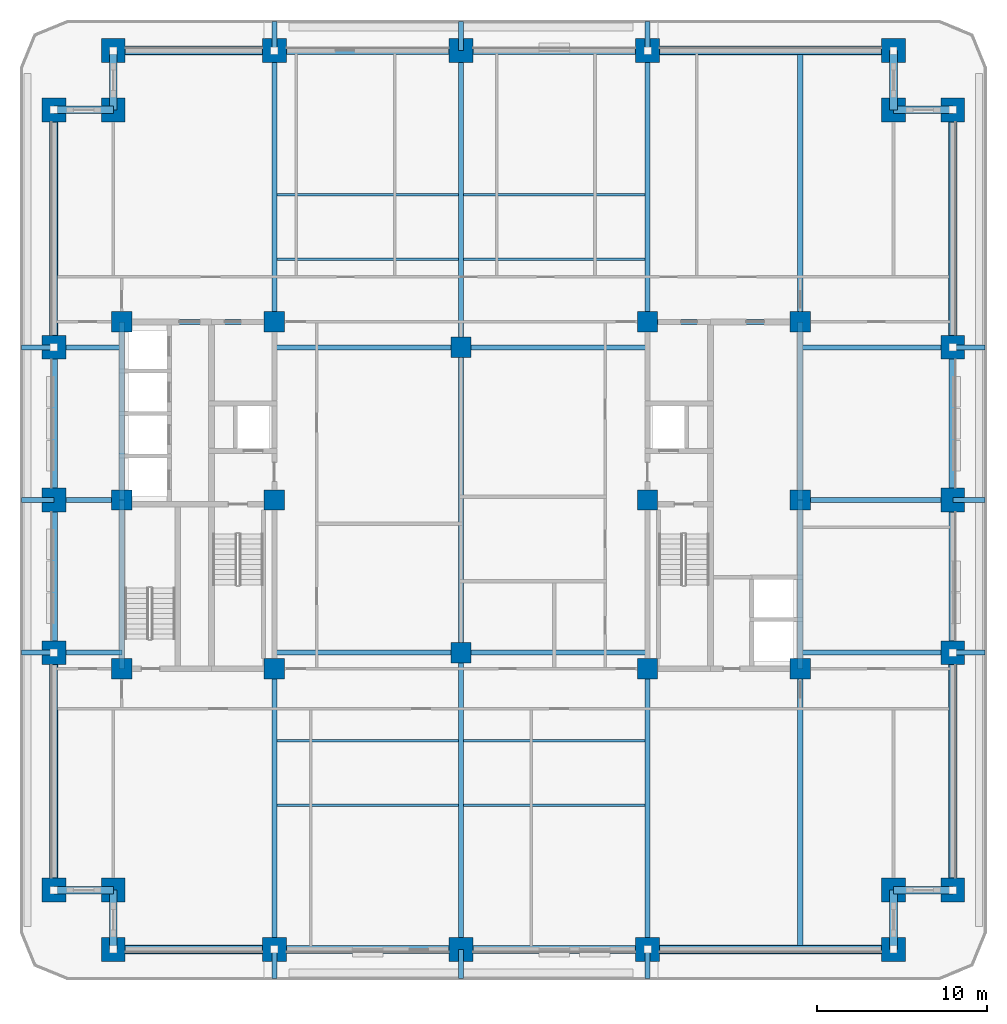
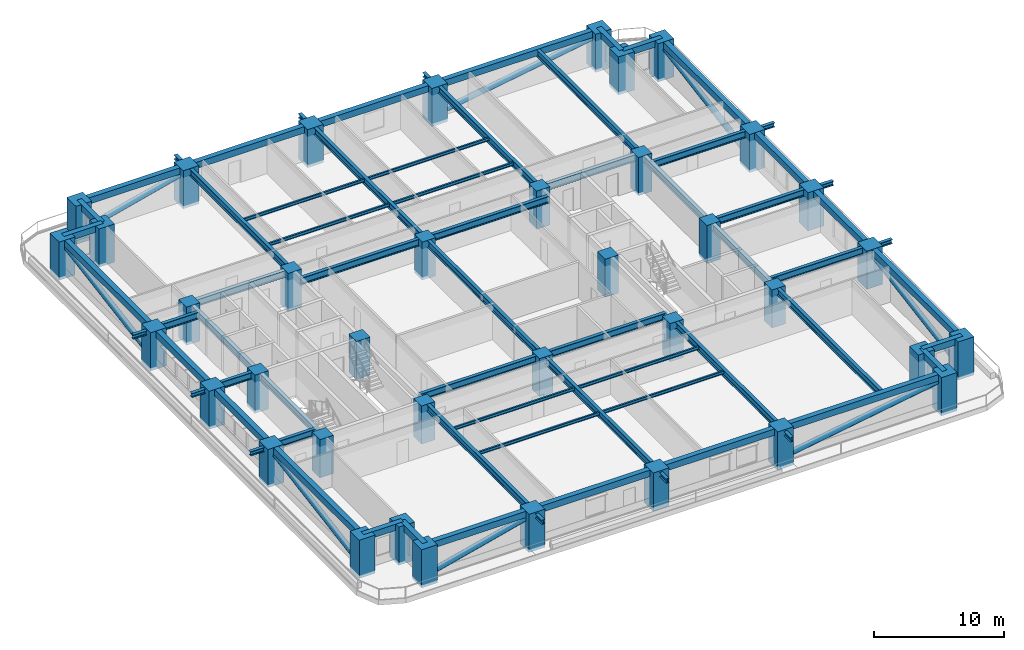
# One storey, part 1 of 14: 69 beams, 38 columns, 8 members.
"""IFC4 building model written with IfcOpenShell, lengths in metres."""

from ifc_helpers import new_model, si_unit, direction, frame, origin, origin_2d, place, context, subcontext, project, spatial, rectangle, hollow_circle, i_section, extrude, material, material_profile, profile_set, type_object, element, save


model = new_model("IFC4")

# Units and contexts
model_context = context("Model", 3, precision=1e-05, world=origin(), true_north=direction((0.0, 1.0)))
body_context = subcontext(model_context, "Body", "Model", "MODEL_VIEW")
ifc_project = project(units=[si_unit("LENGTHUNIT", "METRE"), si_unit("AREAUNIT", "SQUARE_METRE"), si_unit("VOLUMEUNIT", "CUBIC_METRE"), si_unit("PLANEANGLEUNIT", "RADIAN"), si_unit("MASSUNIT", "GRAM", prefix="KILO")], contexts=[model_context])

# Site, building, storey
site_placement = place(None, origin())
site = spatial("IfcSite", under=ifc_project, at=site_placement, CompositionType="ELEMENT")
building_placement = place(site_placement, origin())
building = spatial("IfcBuilding", under=site, at=building_placement, Name="Zulmaris Gate Convention Tower", CompositionType="ELEMENT")
storey_placement = place(building_placement, frame((0.0, 0.0, 45.050048828125)))
storey = spatial("IfcBuildingStorey", under=building, at=storey_placement, Name="L10", CompositionType="ELEMENT", Elevation=45.050048828125)

# Columns
ifc_material_1 = material(Name="Concrete C70/85", Category="concrete")
ifc_material_profile_1 = material_profile(ifc_material_1, rectangle(XDim=1.199951171875, YDim=1.199951171875, at=origin_2d()), Name="RC COL 1200x1200")
ifc_profile_set_1 = profile_set([ifc_material_profile_1], Name="Concrete C70/85")
column_type_1 = type_object("IfcColumnType", Name="COL-RC1200", PredefinedType="COLUMN", material=ifc_profile_set_1)
for number, where, z_axis, x_axis, name in (
    (1, (-20.0, -9.949951171875, -0.25), (0.0, 0.0, 1.0), (1.0, 0.0, 0.0), "L10 Column IN--20.00_-9.95"),
    (2, (-20.0, 10.5, -0.25), (0.0, 0.0, 1.0), (1.0, 0.0, 0.0), "L10 Column IN--20.00_+10.50"),
    (3, (-11.0, -9.949951171875, -0.25), (0.0, 0.0, 1.0), (1.0, 0.0, 0.0), "L10 Column IN--11.00_-9.95"),
    (4, (-11.0, 0.0, -0.25), (0.0, 0.0, 1.0), (1.0, 0.0, 0.0), "L10 Column IN--11.00_+0.00"),
    (5, (-11.0, 10.5, -0.25), (0.0, 0.0, 1.0), (1.0, 0.0, 0.0), "L10 Column IN--11.00_+10.50"),
    (6, (11.0, -9.949951171875, -0.25), (0.0, 0.0, 1.0), (1.0, 0.0, 0.0), "L10 Column IN-+11.00_-9.95"),
    (7, (11.0, 0.0, -0.25), (0.0, 0.0, 1.0), (1.0, 0.0, 0.0), "L10 Column IN-+11.00_+0.00"),
    (8, (11.0, 10.5, -0.25), (0.0, 0.0, 1.0), (1.0, 0.0, 0.0), "L10 Column IN-+11.00_+10.50"),
    (9, (20.0, -9.949951171875, -0.25), (0.0, 0.0, 1.0), (1.0, 0.0, 0.0), "L10 Column IN-+20.00_-9.95"),
    (10, (20.0, 10.5, -0.25), (0.0, 0.0, 1.0), (1.0, 0.0, 0.0), "L10 Column IN-+20.00_+10.50"),
    (11, (0.0, -9.0, -0.25), (0.0, 0.0, 1.0), (1.0, 0.0, 0.0), "L10 Column IN-+0.00_-9.00"),
    (12, (0.0, 9.0, -0.25), (0.0, 0.0, 1.0), (1.0, 0.0, 0.0), "L10 Column IN-+0.00_+9.00"),
    (13, (-20.0, 0.0, -0.25), (0.0, 0.0, 1.0), (1.0, 0.0, 0.0), "L10 Column IN--20.00_+0.00"),
    (14, (20.0, 0.0, -0.25), (0.0, 0.0, 1.0), (1.0, 0.0, 0.0), "L10 Column IN-+20.00_+0.00"),
):
    element("IfcColumn", number, at=place(storey_placement, frame(where, z_axis=z_axis, x_axis=x_axis)), inside=storey, type_object=column_type_1, Name=name, PredefinedType="COLUMN", context=body_context, shape_type="SweptSolid", body=[
        extrude(rectangle(XDim=1.199951171875, YDim=1.199951171875, at=origin_2d()), origin(), (0.0, 0.0, 1.0), 3.570068359375),
    ])
ifc_material_2 = material(Name="Concrete C80/95", Category="concrete")
ifc_material_profile_2 = material_profile(ifc_material_2, rectangle(XDim=1.39990234375, YDim=1.39990234375, at=origin_2d()), Name="RC COL 1400x1400")
ifc_profile_set_2 = profile_set([ifc_material_profile_2], Name="Concrete C80/95")
column_type_2 = type_object("IfcColumnType", Name="COL-RC1400", PredefinedType="COLUMN", material=ifc_profile_set_2)
for number, where, z_axis, x_axis, name in (
    (15, (-20.5, -26.5, -0.25), (0.0, 0.0, 1.0), (1.0, 0.0, 0.0), "L10 Column PT--20.50_-26.50"),
    (16, (-11.0, -26.5, -0.25), (0.0, 0.0, 1.0), (1.0, 0.0, 0.0), "L10 Column PT--11.00_-26.50"),
    (17, (0.0, -26.5, -0.25), (0.0, 0.0, 1.0), (1.0, 0.0, 0.0), "L10 Column PT-+0.00_-26.50"),
    (18, (11.0, -26.5, -0.25), (0.0, 0.0, 1.0), (1.0, 0.0, 0.0), "L10 Column PT-+11.00_-26.50"),
    (19, (25.5, -26.5, -0.25), (0.0, 0.0, 1.0), (1.0, 0.0, 0.0), "L10 Column PT-+25.50_-26.50"),
    (20, (-20.5, 26.5, -0.25), (0.0, 0.0, 1.0), (1.0, 0.0, 0.0), "L10 Column PT--20.50_+26.50"),
    (21, (-11.0, 26.5, -0.25), (0.0, 0.0, 1.0), (1.0, 0.0, 0.0), "L10 Column PT--11.00_+26.50"),
    (22, (0.0, 26.5, -0.25), (0.0, 0.0, 1.0), (1.0, 0.0, 0.0), "L10 Column PT-+0.00_+26.50"),
    (23, (11.0, 26.5, -0.25), (0.0, 0.0, 1.0), (1.0, 0.0, 0.0), "L10 Column PT-+11.00_+26.50"),
    (24, (25.5, 26.5, -0.25), (0.0, 0.0, 1.0), (1.0, 0.0, 0.0), "L10 Column PT-+25.50_+26.50"),
    (25, (-24.0, -23.0, -0.25), (0.0, 0.0, 1.0), (1.0, 0.0, 0.0), "L10 Column PT--24.00_-23.00"),
    (26, (-24.0, -9.0, -0.25), (0.0, 0.0, 1.0), (1.0, 0.0, 0.0), "L10 Column PT--24.00_-9.00"),
    (27, (-24.0, 0.0, -0.25), (0.0, 0.0, 1.0), (1.0, 0.0, 0.0), "L10 Column PT--24.00_+0.00"),
    (28, (-24.0, 9.0, -0.25), (0.0, 0.0, 1.0), (1.0, 0.0, 0.0), "L10 Column PT--24.00_+9.00"),
    (29, (-24.0, 23.0, -0.25), (0.0, 0.0, 1.0), (1.0, 0.0, 0.0), "L10 Column PT--24.00_+23.00"),
    (30, (29.0, -23.0, -0.25), (0.0, 0.0, 1.0), (1.0, 0.0, 0.0), "L10 Column PT-+29.00_-23.00"),
    (31, (29.0, -9.0, -0.25), (0.0, 0.0, 1.0), (1.0, 0.0, 0.0), "L10 Column PT-+29.00_-9.00"),
    (32, (29.0, 0.0, -0.25), (0.0, 0.0, 1.0), (1.0, 0.0, 0.0), "L10 Column PT-+29.00_+0.00"),
    (33, (29.0, 9.0, -0.25), (0.0, 0.0, 1.0), (1.0, 0.0, 0.0), "L10 Column PT-+29.00_+9.00"),
    (34, (29.0, 23.0, -0.25), (0.0, 0.0, 1.0), (1.0, 0.0, 0.0), "L10 Column PT-+29.00_+23.00"),
    (35, (-20.5, -23.0, -0.25), (0.0, 0.0, 1.0), (1.0, 0.0, 0.0), "L10 Column PT--20.50_-23.00"),
    (36, (25.5, -23.0, -0.25), (0.0, 0.0, 1.0), (1.0, 0.0, 0.0), "L10 Column PT-+25.50_-23.00"),
    (37, (25.5, 23.0, -0.25), (0.0, 0.0, 1.0), (1.0, 0.0, 0.0), "L10 Column PT-+25.50_+23.00"),
    (38, (-20.5, 23.0, -0.25), (0.0, 0.0, 1.0), (1.0, 0.0, 0.0), "L10 Column PT--20.50_+23.00"),
):
    element("IfcColumn", number, at=place(storey_placement, frame(where, z_axis=z_axis, x_axis=x_axis)), inside=storey, type_object=column_type_2, Name=name, PredefinedType="COLUMN", context=body_context, shape_type="SweptSolid", body=[
        extrude(rectangle(XDim=1.39990234375, YDim=1.39990234375, at=origin_2d()), origin(), (0.0, 0.0, 1.0), 3.570068359375),
    ])

# Beams
ifc_material_3 = material(Name="Steel S355", Category="steel")
ifc_material_profile_3 = material_profile(ifc_material_3, i_section(OverallWidth=0.300048828125, OverallDepth=0.39990234375, WebThickness=0.013427734375, FlangeThickness=0.02392578125, FilletRadius=0.027099609375, at=origin_2d()), Name="HEB 400")
ifc_profile_set_3 = profile_set([ifc_material_profile_3], Name="Steel S355")
beam_type_1 = type_object("IfcBeamType", Name="BM-HEB400", PredefinedType="BEAM", material=ifc_profile_set_3)
for number, where, z_axis, x_axis, name in (
    (39, (-11.0, -28.199951171875, 2.97998046875), (0.0, 1.0, 0.0), (-1.0, 0.0, 0.0), "L10 Beam TBRK-L10-S--11"),
    (40, (-11.0, 26.5, 2.97998046875), (0.0, 1.0, 0.0), (-1.0, 0.0, 0.0), "L10 Beam TBRK-L10-N--11"),
    (41, (0.0, -28.199951171875, 2.97998046875), (0.0, 1.0, 0.0), (-1.0, 0.0, 0.0), "L10 Beam TBRK-L10-S-+0"),
    (42, (0.0, 26.5, 2.97998046875), (0.0, 1.0, 0.0), (-1.0, 0.0, 0.0), "L10 Beam TBRK-L10-N-+0"),
    (43, (11.0, -28.199951171875, 2.97998046875), (0.0, 1.0, 0.0), (-1.0, 0.0, 0.0), "L10 Beam TBRK-L10-S-+11"),
    (44, (11.0, 26.5, 2.97998046875), (0.0, 1.0, 0.0), (-1.0, 0.0, 0.0), "L10 Beam TBRK-L10-N-+11"),
):
    element("IfcBeam", number, at=place(storey_placement, frame(where, z_axis=z_axis, x_axis=x_axis)), inside=storey, type_object=beam_type_1, Name=name, PredefinedType="BEAM", context=body_context, shape_type="SweptSolid", body=[
        extrude(i_section(OverallWidth=0.300048828125, OverallDepth=0.39990234375, WebThickness=0.013427734375, FlangeThickness=0.02392578125, FilletRadius=0.027099609375, at=origin_2d()), origin(), (0.0, 0.0, 1.0), 1.699951171875),
    ])
for number, where, z_axis, x_axis, name in (
    (45, (-25.89990234375, -9.0, 2.97998046875), (1.0, 0.0, 0.0), (0.0, 1.0, 0.0), "L10 Beam TBRK-L10-W--9"),
    (46, (29.0, -9.0, 2.97998046875), (1.0, 0.0, 0.0), (0.0, 1.0, 0.0), "L10 Beam TBRK-L10-E--9"),
    (47, (-25.89990234375, 0.0, 2.97998046875), (1.0, 0.0, 0.0), (0.0, 1.0, 0.0), "L10 Beam TBRK-L10-W-+0"),
    (48, (29.0, 0.0, 2.97998046875), (1.0, 0.0, 0.0), (0.0, 1.0, 0.0), "L10 Beam TBRK-L10-E-+0"),
    (49, (-25.89990234375, 9.0, 2.97998046875), (1.0, 0.0, 0.0), (0.0, 1.0, 0.0), "L10 Beam TBRK-L10-W-+9"),
    (50, (29.0, 9.0, 2.97998046875), (1.0, 0.0, 0.0), (0.0, 1.0, 0.0), "L10 Beam TBRK-L10-E-+9"),
):
    element("IfcBeam", number, at=place(storey_placement, frame(where, z_axis=z_axis, x_axis=x_axis)), inside=storey, type_object=beam_type_1, Name=name, PredefinedType="BEAM", context=body_context, shape_type="SweptSolid", body=[
        extrude(i_section(OverallWidth=0.300048828125, OverallDepth=0.39990234375, WebThickness=0.013427734375, FlangeThickness=0.02392578125, FilletRadius=0.027099609375, at=origin_2d()), origin(), (0.0, 0.0, 1.0), 1.89990234375),
    ])
ifc_material_profile_4 = material_profile(ifc_material_3, i_section(OverallWidth=0.300048828125, OverallDepth=0.64990234375, WebThickness=0.01611328125, FlangeThickness=0.031005859375, FilletRadius=0.027099609375, at=origin_2d()), Name="HEB 650")
ifc_profile_set_4 = profile_set([ifc_material_profile_4], Name="Steel S355")
beam_type_2 = type_object("IfcBeamType", Name="BM-HEB650", PredefinedType="BEAM", material=ifc_profile_set_4)
for number, where, z_axis, x_axis, name in (
    (51, (-11.0, -9.0, 2.9931640625), (1.0, 0.0, 0.0), (0.0, 1.0, 0.0), "L10 Beam BM-L10-G01"),
    (52, (0.0, -9.0, 2.9931640625), (1.0, 0.0, 0.0), (0.0, 1.0, 0.0), "L10 Beam BM-L10-G02"),
    (53, (-11.0, 9.0, 2.9931640625), (1.0, 0.0, 0.0), (0.0, 1.0, 0.0), "L10 Beam BM-L10-G03"),
    (54, (0.0, 9.0, 2.9931640625), (1.0, 0.0, 0.0), (0.0, 1.0, 0.0), "L10 Beam BM-L10-G04"),
):
    element("IfcBeam", number, at=place(storey_placement, frame(where, z_axis=z_axis, x_axis=x_axis)), inside=storey, type_object=beam_type_2, Name=name, PredefinedType="BEAM", context=body_context, shape_type="SweptSolid", body=[
        extrude(i_section(OverallWidth=0.300048828125, OverallDepth=0.64990234375, WebThickness=0.01611328125, FlangeThickness=0.031005859375, FilletRadius=0.027099609375, at=origin_2d()), origin(), (0.0, 0.0, 1.0), 11.0),
    ])
beam_1_placement = place(storey_placement, frame((0.0, -26.5, 2.9931640625), z_axis=(0.0, 1.0, 0.0), x_axis=(-1.0, 0.0, 0.0)))
element("IfcBeam", 55, at=beam_1_placement, inside=storey, type_object=beam_type_2, Name="L10 Beam BM-L10-G05", PredefinedType="BEAM", context=body_context, shape_type="SweptSolid", body=[
    extrude(i_section(OverallWidth=0.300048828125, OverallDepth=0.64990234375, WebThickness=0.01611328125, FlangeThickness=0.031005859375, FilletRadius=0.027099609375, at=origin_2d()), origin(), (0.0, 0.0, 1.0), 17.5),
])
beam_2_placement = place(storey_placement, frame((0.0, -9.0, 2.9931640625), z_axis=(0.0, 1.0, 0.0), x_axis=(-1.0, 0.0, 0.0)))
element("IfcBeam", 56, at=beam_2_placement, inside=storey, type_object=beam_type_2, Name="L10 Beam BM-L10-G06", PredefinedType="BEAM", context=body_context, shape_type="SweptSolid", body=[
    extrude(i_section(OverallWidth=0.300048828125, OverallDepth=0.64990234375, WebThickness=0.01611328125, FlangeThickness=0.031005859375, FilletRadius=0.027099609375, at=origin_2d()), origin(), (0.0, 0.0, 1.0), 18.0),
])
beam_3_placement = place(storey_placement, frame((0.0, 9.0, 2.9931640625), z_axis=(0.0, 1.0, 0.0), x_axis=(-1.0, 0.0, 0.0)))
element("IfcBeam", 57, at=beam_3_placement, inside=storey, type_object=beam_type_2, Name="L10 Beam BM-L10-G07", PredefinedType="BEAM", context=body_context, shape_type="SweptSolid", body=[
    extrude(i_section(OverallWidth=0.300048828125, OverallDepth=0.64990234375, WebThickness=0.01611328125, FlangeThickness=0.031005859375, FilletRadius=0.027099609375, at=origin_2d()), origin(), (0.0, 0.0, 1.0), 17.5),
])
beam_4_placement = place(storey_placement, frame((-11.0, -26.5, 2.9931640625), z_axis=(0.0, 1.0, 0.0), x_axis=(-1.0, 0.0, 0.0)))
element("IfcBeam", 58, at=beam_4_placement, inside=storey, type_object=beam_type_2, Name="L10 Beam BM-L10-G08", PredefinedType="BEAM", context=body_context, shape_type="SweptSolid", body=[
    extrude(i_section(OverallWidth=0.300048828125, OverallDepth=0.64990234375, WebThickness=0.01611328125, FlangeThickness=0.031005859375, FilletRadius=0.027099609375, at=origin_2d()), origin(), (0.0, 0.0, 1.0), 16.550048828125),
])
beam_5_placement = place(storey_placement, frame((-11.0, 10.5, 2.9931640625), z_axis=(0.0, 1.0, 0.0), x_axis=(-1.0, 0.0, 0.0)))
element("IfcBeam", 59, at=beam_5_placement, inside=storey, type_object=beam_type_2, Name="L10 Beam BM-L10-G09", PredefinedType="BEAM", context=body_context, shape_type="SweptSolid", body=[
    extrude(i_section(OverallWidth=0.300048828125, OverallDepth=0.64990234375, WebThickness=0.01611328125, FlangeThickness=0.031005859375, FilletRadius=0.027099609375, at=origin_2d()), origin(), (0.0, 0.0, 1.0), 16.0),
])
beam_6_placement = place(storey_placement, frame((11.0, -26.5, 2.9931640625), z_axis=(0.0, 1.0, 0.0), x_axis=(-1.0, 0.0, 0.0)))
element("IfcBeam", 60, at=beam_6_placement, inside=storey, type_object=beam_type_2, Name="L10 Beam BM-L10-G10", PredefinedType="BEAM", context=body_context, shape_type="SweptSolid", body=[
    extrude(i_section(OverallWidth=0.300048828125, OverallDepth=0.64990234375, WebThickness=0.01611328125, FlangeThickness=0.031005859375, FilletRadius=0.027099609375, at=origin_2d()), origin(), (0.0, 0.0, 1.0), 16.550048828125),
])
beam_7_placement = place(storey_placement, frame((11.0, 10.5, 2.9931640625), z_axis=(0.0, 1.0, 0.0), x_axis=(-1.0, 0.0, 0.0)))
element("IfcBeam", 61, at=beam_7_placement, inside=storey, type_object=beam_type_2, Name="L10 Beam BM-L10-G11", PredefinedType="BEAM", context=body_context, shape_type="SweptSolid", body=[
    extrude(i_section(OverallWidth=0.300048828125, OverallDepth=0.64990234375, WebThickness=0.01611328125, FlangeThickness=0.031005859375, FilletRadius=0.027099609375, at=origin_2d()), origin(), (0.0, 0.0, 1.0), 16.0),
])
beam_8_placement = place(storey_placement, frame((20.0, -26.5, 2.9931640625), z_axis=(0.0, 1.0, 0.0), x_axis=(-1.0, 0.0, 0.0)))
element("IfcBeam", 62, at=beam_8_placement, inside=storey, type_object=beam_type_2, Name="L10 Beam BM-L10-G14", PredefinedType="BEAM", context=body_context, shape_type="SweptSolid", body=[
    extrude(i_section(OverallWidth=0.300048828125, OverallDepth=0.64990234375, WebThickness=0.01611328125, FlangeThickness=0.031005859375, FilletRadius=0.027099609375, at=origin_2d()), origin(), (0.0, 0.0, 1.0), 16.550048828125),
])
beam_9_placement = place(storey_placement, frame((20.0, 10.5, 2.9931640625), z_axis=(0.0, 1.0, 0.0), x_axis=(-1.0, 0.0, 0.0)))
element("IfcBeam", 63, at=beam_9_placement, inside=storey, type_object=beam_type_2, Name="L10 Beam BM-L10-G15", PredefinedType="BEAM", context=body_context, shape_type="SweptSolid", body=[
    extrude(i_section(OverallWidth=0.300048828125, OverallDepth=0.64990234375, WebThickness=0.01611328125, FlangeThickness=0.031005859375, FilletRadius=0.027099609375, at=origin_2d()), origin(), (0.0, 0.0, 1.0), 16.0),
])
for number, where, z_axis, x_axis, name in (
    (64, (-24.0, -9.0, 2.9931640625), (1.0, 0.0, 0.0), (0.0, 1.0, 0.0), "L10 Beam BM-L10-G16"),
    (65, (-24.0, 0.0, 2.9931640625), (1.0, 0.0, 0.0), (0.0, 1.0, 0.0), "L10 Beam BM-L10-G17"),
    (66, (-24.0, 9.0, 2.9931640625), (1.0, 0.0, 0.0), (0.0, 1.0, 0.0), "L10 Beam BM-L10-G18"),
):
    element("IfcBeam", number, at=place(storey_placement, frame(where, z_axis=z_axis, x_axis=x_axis)), inside=storey, type_object=beam_type_2, Name=name, PredefinedType="BEAM", context=body_context, shape_type="SweptSolid", body=[
        extrude(i_section(OverallWidth=0.300048828125, OverallDepth=0.64990234375, WebThickness=0.01611328125, FlangeThickness=0.031005859375, FilletRadius=0.027099609375, at=origin_2d()), origin(), (0.0, 0.0, 1.0), 4.0),
    ])
for number, where, z_axis, x_axis, name in (
    (67, (20.0, -9.0, 2.9931640625), (1.0, 0.0, 0.0), (0.0, 1.0, 0.0), "L10 Beam BM-L10-G19"),
    (68, (20.0, 0.0, 2.9931640625), (1.0, 0.0, 0.0), (0.0, 1.0, 0.0), "L10 Beam BM-L10-G20"),
    (69, (20.0, 9.0, 2.9931640625), (1.0, 0.0, 0.0), (0.0, 1.0, 0.0), "L10 Beam BM-L10-G21"),
    (70, (-20.0, 10.5, 2.9931640625), (1.0, 0.0, 0.0), (0.0, 1.0, 0.0), "L10 Beam BM-L10-G23"),
    (71, (11.0, 10.5, 2.9931640625), (1.0, 0.0, 0.0), (0.0, 1.0, 0.0), "L10 Beam BM-L10-G25"),
):
    element("IfcBeam", number, at=place(storey_placement, frame(where, z_axis=z_axis, x_axis=x_axis)), inside=storey, type_object=beam_type_2, Name=name, PredefinedType="BEAM", context=body_context, shape_type="SweptSolid", body=[
        extrude(i_section(OverallWidth=0.300048828125, OverallDepth=0.64990234375, WebThickness=0.01611328125, FlangeThickness=0.031005859375, FilletRadius=0.027099609375, at=origin_2d()), origin(), (0.0, 0.0, 1.0), 9.0),
    ])
beam_10_placement = place(storey_placement, frame((-20.0, -9.949951171875, 2.9931640625), z_axis=(0.0, 1.0, 0.0), x_axis=(-1.0, 0.0, 0.0)))
element("IfcBeam", 72, at=beam_10_placement, inside=storey, type_object=beam_type_2, Name="L10 Beam BM-L10-G26", PredefinedType="BEAM", context=body_context, shape_type="SweptSolid", body=[
    extrude(i_section(OverallWidth=0.300048828125, OverallDepth=0.64990234375, WebThickness=0.01611328125, FlangeThickness=0.031005859375, FilletRadius=0.027099609375, at=origin_2d()), origin(), (0.0, 0.0, 1.0), 9.949951171875),
])
beam_11_placement = place(storey_placement, frame((-20.0, 0.0, 2.9931640625), z_axis=(0.0, 1.0, 0.0), x_axis=(-1.0, 0.0, 0.0)))
element("IfcBeam", 73, at=beam_11_placement, inside=storey, type_object=beam_type_2, Name="L10 Beam BM-L10-G27", PredefinedType="BEAM", context=body_context, shape_type="SweptSolid", body=[
    extrude(i_section(OverallWidth=0.300048828125, OverallDepth=0.64990234375, WebThickness=0.01611328125, FlangeThickness=0.031005859375, FilletRadius=0.027099609375, at=origin_2d()), origin(), (0.0, 0.0, 1.0), 10.5),
])
beam_12_placement = place(storey_placement, frame((20.0, -9.949951171875, 2.9931640625), z_axis=(0.0, 1.0, 0.0), x_axis=(-1.0, 0.0, 0.0)))
element("IfcBeam", 74, at=beam_12_placement, inside=storey, type_object=beam_type_2, Name="L10 Beam BM-L10-G28", PredefinedType="BEAM", context=body_context, shape_type="SweptSolid", body=[
    extrude(i_section(OverallWidth=0.300048828125, OverallDepth=0.64990234375, WebThickness=0.01611328125, FlangeThickness=0.031005859375, FilletRadius=0.027099609375, at=origin_2d()), origin(), (0.0, 0.0, 1.0), 9.949951171875),
])
beam_13_placement = place(storey_placement, frame((20.0, 0.0, 2.9931640625), z_axis=(0.0, 1.0, 0.0), x_axis=(-1.0, 0.0, 0.0)))
element("IfcBeam", 75, at=beam_13_placement, inside=storey, type_object=beam_type_2, Name="L10 Beam BM-L10-G29", PredefinedType="BEAM", context=body_context, shape_type="SweptSolid", body=[
    extrude(i_section(OverallWidth=0.300048828125, OverallDepth=0.64990234375, WebThickness=0.01611328125, FlangeThickness=0.031005859375, FilletRadius=0.027099609375, at=origin_2d()), origin(), (0.0, 0.0, 1.0), 10.5),
])
ifc_material_4 = material(Name="Precast concrete C50/60", Category="concrete")
ifc_material_profile_5 = material_profile(ifc_material_4, rectangle(XDim=0.449951171875, YDim=0.60009765625, at=origin_2d()), Name="RC SPANDREL 450x600")
ifc_profile_set_5 = profile_set([ifc_material_profile_5], Name="Precast concrete C50/60")
beam_type_3 = type_object("IfcBeamType", Name="BM-SP450x600", PredefinedType="SPANDREL", material=ifc_profile_set_5)
beam_14_placement = place(storey_placement, frame((-20.5, -26.5, 3.02001953125), z_axis=(1.0, 0.0, 0.0), x_axis=(0.0, 1.0, 0.0)))
element("IfcBeam", 76, at=beam_14_placement, inside=storey, type_object=beam_type_3, Name="L10 Spandrel SP-L10-01", PredefinedType="SPANDREL", context=body_context, shape_type="SweptSolid", body=[
    extrude(rectangle(XDim=0.449951171875, YDim=0.60009765625, at=origin_2d()), origin(), (0.0, 0.0, 1.0), 9.5),
])
for number, where, z_axis, x_axis, name in (
    (77, (-11.0, -26.5, 3.02001953125), (1.0, 0.0, 0.0), (0.0, 1.0, 0.0), "L10 Spandrel SP-L10-02"),
    (78, (0.0, -26.5, 3.02001953125), (1.0, 0.0, 0.0), (0.0, 1.0, 0.0), "L10 Spandrel SP-L10-03"),
):
    element("IfcBeam", number, at=place(storey_placement, frame(where, z_axis=z_axis, x_axis=x_axis)), inside=storey, type_object=beam_type_3, Name=name, PredefinedType="SPANDREL", context=body_context, shape_type="SweptSolid", body=[
        extrude(rectangle(XDim=0.449951171875, YDim=0.60009765625, at=origin_2d()), origin(), (0.0, 0.0, 1.0), 11.0),
    ])
beam_15_placement = place(storey_placement, frame((11.0, -26.5, 3.02001953125), z_axis=(1.0, 0.0, 0.0), x_axis=(0.0, 1.0, 0.0)))
element("IfcBeam", 79, at=beam_15_placement, inside=storey, type_object=beam_type_3, Name="L10 Spandrel SP-L10-04", PredefinedType="SPANDREL", context=body_context, shape_type="SweptSolid", body=[
    extrude(rectangle(XDim=0.449951171875, YDim=0.60009765625, at=origin_2d()), origin(), (0.0, 0.0, 1.0), 14.5),
])
for number, where, z_axis, x_axis, name in (
    (80, (25.5, -26.5, 3.02001953125), (0.0, 1.0, 0.0), (-1.0, 0.0, 0.0), "L10 Spandrel SP-L10-05"),
    (81, (25.5, -23.0, 3.02001953125), (1.0, 0.0, 0.0), (0.0, 1.0, 0.0), "L10 Spandrel SP-L10-06"),
):
    element("IfcBeam", number, at=place(storey_placement, frame(where, z_axis=z_axis, x_axis=x_axis)), inside=storey, type_object=beam_type_3, Name=name, PredefinedType="SPANDREL", context=body_context, shape_type="SweptSolid", body=[
        extrude(rectangle(XDim=0.449951171875, YDim=0.60009765625, at=origin_2d()), origin(), (0.0, 0.0, 1.0), 3.5),
    ])
beam_16_placement = place(storey_placement, frame((29.0, -23.0, 3.02001953125), z_axis=(0.0, 1.0, 0.0), x_axis=(-1.0, 0.0, 0.0)))
element("IfcBeam", 82, at=beam_16_placement, inside=storey, type_object=beam_type_3, Name="L10 Spandrel SP-L10-07", PredefinedType="SPANDREL", context=body_context, shape_type="SweptSolid", body=[
    extrude(rectangle(XDim=0.449951171875, YDim=0.60009765625, at=origin_2d()), origin(), (0.0, 0.0, 1.0), 14.0),
])
for number, where, z_axis, x_axis, name in (
    (83, (29.0, -9.0, 3.02001953125), (0.0, 1.0, 0.0), (-1.0, 0.0, 0.0), "L10 Spandrel SP-L10-08"),
    (84, (29.0, 0.0, 3.02001953125), (0.0, 1.0, 0.0), (-1.0, 0.0, 0.0), "L10 Spandrel SP-L10-09"),
):
    element("IfcBeam", number, at=place(storey_placement, frame(where, z_axis=z_axis, x_axis=x_axis)), inside=storey, type_object=beam_type_3, Name=name, PredefinedType="SPANDREL", context=body_context, shape_type="SweptSolid", body=[
        extrude(rectangle(XDim=0.449951171875, YDim=0.60009765625, at=origin_2d()), origin(), (0.0, 0.0, 1.0), 9.0),
    ])
beam_17_placement = place(storey_placement, frame((29.0, 9.0, 3.02001953125), z_axis=(0.0, 1.0, 0.0), x_axis=(-1.0, 0.0, 0.0)))
element("IfcBeam", 85, at=beam_17_placement, inside=storey, type_object=beam_type_3, Name="L10 Spandrel SP-L10-10", PredefinedType="SPANDREL", context=body_context, shape_type="SweptSolid", body=[
    extrude(rectangle(XDim=0.449951171875, YDim=0.60009765625, at=origin_2d()), origin(), (0.0, 0.0, 1.0), 14.0),
])
for number, where, z_axis, x_axis, name in (
    (86, (29.0, 23.0, 3.02001953125), (-1.0, 0.0, 0.0), (0.0, -1.0, 0.0), "L10 Spandrel SP-L10-11"),
    (87, (25.5, 23.0, 3.02001953125), (0.0, 1.0, 0.0), (-1.0, 0.0, 0.0), "L10 Spandrel SP-L10-12"),
):
    element("IfcBeam", number, at=place(storey_placement, frame(where, z_axis=z_axis, x_axis=x_axis)), inside=storey, type_object=beam_type_3, Name=name, PredefinedType="SPANDREL", context=body_context, shape_type="SweptSolid", body=[
        extrude(rectangle(XDim=0.449951171875, YDim=0.60009765625, at=origin_2d()), origin(), (0.0, 0.0, 1.0), 3.5),
    ])
beam_18_placement = place(storey_placement, frame((25.5, 26.5, 3.02001953125), z_axis=(-1.0, 0.0, 0.0), x_axis=(0.0, -1.0, 0.0)))
element("IfcBeam", 88, at=beam_18_placement, inside=storey, type_object=beam_type_3, Name="L10 Spandrel SP-L10-13", PredefinedType="SPANDREL", context=body_context, shape_type="SweptSolid", body=[
    extrude(rectangle(XDim=0.449951171875, YDim=0.60009765625, at=origin_2d()), origin(), (0.0, 0.0, 1.0), 14.5),
])
for number, where, z_axis, x_axis, name in (
    (89, (11.0, 26.5, 3.02001953125), (-1.0, 0.0, 0.0), (0.0, -1.0, 0.0), "L10 Spandrel SP-L10-14"),
    (90, (0.0, 26.5, 3.02001953125), (-1.0, 0.0, 0.0), (0.0, -1.0, 0.0), "L10 Spandrel SP-L10-15"),
):
    element("IfcBeam", number, at=place(storey_placement, frame(where, z_axis=z_axis, x_axis=x_axis)), inside=storey, type_object=beam_type_3, Name=name, PredefinedType="SPANDREL", context=body_context, shape_type="SweptSolid", body=[
        extrude(rectangle(XDim=0.449951171875, YDim=0.60009765625, at=origin_2d()), origin(), (0.0, 0.0, 1.0), 11.0),
    ])
beam_19_placement = place(storey_placement, frame((-11.0, 26.5, 3.02001953125), z_axis=(-1.0, 0.0, 0.0), x_axis=(0.0, -1.0, 0.0)))
element("IfcBeam", 91, at=beam_19_placement, inside=storey, type_object=beam_type_3, Name="L10 Spandrel SP-L10-16", PredefinedType="SPANDREL", context=body_context, shape_type="SweptSolid", body=[
    extrude(rectangle(XDim=0.449951171875, YDim=0.60009765625, at=origin_2d()), origin(), (0.0, 0.0, 1.0), 9.5),
])
for number, where, z_axis, x_axis, name in (
    (92, (-20.5, 26.5, 3.02001953125), (0.0, -1.0, 0.0), (1.0, 0.0, 0.0), "L10 Spandrel SP-L10-17"),
    (93, (-20.5, 23.0, 3.02001953125), (-1.0, 0.0, 0.0), (0.0, -1.0, 0.0), "L10 Spandrel SP-L10-18"),
):
    element("IfcBeam", number, at=place(storey_placement, frame(where, z_axis=z_axis, x_axis=x_axis)), inside=storey, type_object=beam_type_3, Name=name, PredefinedType="SPANDREL", context=body_context, shape_type="SweptSolid", body=[
        extrude(rectangle(XDim=0.449951171875, YDim=0.60009765625, at=origin_2d()), origin(), (0.0, 0.0, 1.0), 3.5),
    ])
beam_20_placement = place(storey_placement, frame((-24.0, 23.0, 3.02001953125), z_axis=(0.0, -1.0, 0.0), x_axis=(1.0, 0.0, 0.0)))
element("IfcBeam", 94, at=beam_20_placement, inside=storey, type_object=beam_type_3, Name="L10 Spandrel SP-L10-19", PredefinedType="SPANDREL", context=body_context, shape_type="SweptSolid", body=[
    extrude(rectangle(XDim=0.449951171875, YDim=0.60009765625, at=origin_2d()), origin(), (0.0, 0.0, 1.0), 14.0),
])
for number, where, z_axis, x_axis, name in (
    (95, (-24.0, 9.0, 3.02001953125), (0.0, -1.0, 0.0), (1.0, 0.0, 0.0), "L10 Spandrel SP-L10-20"),
    (96, (-24.0, 0.0, 3.02001953125), (0.0, -1.0, 0.0), (1.0, 0.0, 0.0), "L10 Spandrel SP-L10-21"),
):
    element("IfcBeam", number, at=place(storey_placement, frame(where, z_axis=z_axis, x_axis=x_axis)), inside=storey, type_object=beam_type_3, Name=name, PredefinedType="SPANDREL", context=body_context, shape_type="SweptSolid", body=[
        extrude(rectangle(XDim=0.449951171875, YDim=0.60009765625, at=origin_2d()), origin(), (0.0, 0.0, 1.0), 9.0),
    ])
beam_21_placement = place(storey_placement, frame((-24.0, -9.0, 3.02001953125), z_axis=(0.0, -1.0, 0.0), x_axis=(1.0, 0.0, 0.0)))
element("IfcBeam", 97, at=beam_21_placement, inside=storey, type_object=beam_type_3, Name="L10 Spandrel SP-L10-22", PredefinedType="SPANDREL", context=body_context, shape_type="SweptSolid", body=[
    extrude(rectangle(XDim=0.449951171875, YDim=0.60009765625, at=origin_2d()), origin(), (0.0, 0.0, 1.0), 14.0),
])
for number, where, z_axis, x_axis, name in (
    (98, (-24.0, -23.0, 3.02001953125), (1.0, 0.0, 0.0), (0.0, 1.0, 0.0), "L10 Spandrel SP-L10-23"),
    (99, (-20.5, -23.0, 3.02001953125), (0.0, -1.0, 0.0), (1.0, 0.0, 0.0), "L10 Spandrel SP-L10-24"),
):
    element("IfcBeam", number, at=place(storey_placement, frame(where, z_axis=z_axis, x_axis=x_axis)), inside=storey, type_object=beam_type_3, Name=name, PredefinedType="SPANDREL", context=body_context, shape_type="SweptSolid", body=[
        extrude(rectangle(XDim=0.449951171875, YDim=0.60009765625, at=origin_2d()), origin(), (0.0, 0.0, 1.0), 3.5),
    ])

# Members
ifc_material_5 = material(Name="Steel S460", Category="steel")
ifc_material_profile_6 = material_profile(ifc_material_5, hollow_circle(Radius=0.25390625, WallThickness=0.02490234375, at=origin_2d()), Name="CHS 508x25")
ifc_profile_set_6 = profile_set([ifc_material_profile_6], Name="Steel S460")
member_type = type_object("IfcMemberType", Name="BR-CHS508", PredefinedType="BRACE", material=ifc_profile_set_6)
for number, where, z_axis, x_axis, name in (
    (100, (-24.0, -23.0, 0.300048828125), (0.0, 0.985623399742, 0.168957136221), (-1.0, 0.0, 0.0), "L10 Perimeter Tube Diagonal SW-W"),
    (101, (-24.0, 9.0, 0.300048828125), (0.0, 0.985623399742, 0.168957136221), (-1.0, 0.0, 0.0), "L10 Perimeter Tube Diagonal NW-W"),
    (102, (29.0, -23.0, 0.300048828125), (0.0, 0.985623399742, 0.168957136221), (-1.0, 0.0, 0.0), "L10 Perimeter Tube Diagonal SE-E"),
    (103, (29.0, 9.0, 0.300048828125), (0.0, 0.985623399742, 0.168957136221), (-1.0, 0.0, 0.0), "L10 Perimeter Tube Diagonal NE-E"),
):
    element("IfcMember", number, at=place(storey_placement, frame(where, z_axis=z_axis, x_axis=x_axis)), inside=storey, type_object=member_type, Name=name, PredefinedType="BRACE", context=body_context, shape_type="SweptSolid", body=[
        extrude(hollow_circle(Radius=0.25390625, WallThickness=0.02490234375, at=origin_2d()), origin(), (0.0, 0.0, 1.0), 14.2041015625),
    ])
member_1_placement = place(storey_placement, frame((-20.5, -26.5, 0.300048828125), z_axis=(0.969541561087, 0.0, 0.244926848928), x_axis=(0.0, 1.0, 0.0)))
element("IfcMember", 104, at=member_1_placement, inside=storey, type_object=member_type, Name="L10 Perimeter Tube Diagonal SW-S", PredefinedType="BRACE", context=body_context, shape_type="SweptSolid", body=[
    extrude(hollow_circle(Radius=0.25390625, WallThickness=0.02490234375, at=origin_2d()), origin(), (0.0, 0.0, 1.0), 9.79833984375),
])
member_2_placement = place(storey_placement, frame((11.0, -26.5, 0.300048828125), z_axis=(0.986578268552, 0.0, 0.163289068896), x_axis=(0.0, 1.0, 0.0)))
element("IfcMember", 105, at=member_2_placement, inside=storey, type_object=member_type, Name="L10 Perimeter Tube Diagonal SE-S", PredefinedType="BRACE", context=body_context, shape_type="SweptSolid", body=[
    extrude(hollow_circle(Radius=0.25390625, WallThickness=0.02490234375, at=origin_2d()), origin(), (0.0, 0.0, 1.0), 14.697265625),
])
member_3_placement = place(storey_placement, frame((-20.5, 26.5, 0.300048828125), z_axis=(0.969541561087, 0.0, 0.244926848928), x_axis=(0.0, 1.0, 0.0)))
element("IfcMember", 106, at=member_3_placement, inside=storey, type_object=member_type, Name="L10 Perimeter Tube Diagonal NW-N", PredefinedType="BRACE", context=body_context, shape_type="SweptSolid", body=[
    extrude(hollow_circle(Radius=0.25390625, WallThickness=0.02490234375, at=origin_2d()), origin(), (0.0, 0.0, 1.0), 9.79833984375),
])
member_4_placement = place(storey_placement, frame((11.0, 26.5, 0.300048828125), z_axis=(0.986578268552, 0.0, 0.163289068896), x_axis=(0.0, 1.0, 0.0)))
element("IfcMember", 107, at=member_4_placement, inside=storey, type_object=member_type, Name="L10 Perimeter Tube Diagonal NE-N", PredefinedType="BRACE", context=body_context, shape_type="SweptSolid", body=[
    extrude(hollow_circle(Radius=0.25390625, WallThickness=0.02490234375, at=origin_2d()), origin(), (0.0, 0.0, 1.0), 14.697265625),
])

# Beams
ifc_material_profile_7 = material_profile(ifc_material_3, i_section(OverallWidth=0.14990234375, OverallDepth=0.300048828125, WebThickness=0.007080078125, FlangeThickness=0.0107421875, FilletRadius=0.014892578125, at=origin_2d()), Name="IPE 300")
ifc_profile_set_7 = profile_set([ifc_material_profile_7], Name="Steel S355")
beam_type_4 = type_object("IfcBeamType", Name="JT-IPE300", PredefinedType="JOIST", material=ifc_profile_set_7)
for number, where, z_axis, x_axis, name in (
    (108, (-10.85009765625, -18.0, 3.16796875), (1.0, 0.0, 0.0), (0.0, 1.0, 0.0), "L10 Joist JT-L10-CW--18.0"),
    (109, (0.14990234375, -18.0, 3.16796875), (1.0, 0.0, 0.0), (0.0, 1.0, 0.0), "L10 Joist JT-L10-CE--18.0"),
    (110, (-10.85009765625, -14.199951171875, 3.16796875), (1.0, 0.0, 0.0), (0.0, 1.0, 0.0), "L10 Joist JT-L10-CW--14.2"),
    (111, (0.14990234375, -14.199951171875, 3.16796875), (1.0, 0.0, 0.0), (0.0, 1.0, 0.0), "L10 Joist JT-L10-CE--14.2"),
    (112, (-10.85009765625, 14.199951171875, 3.16796875), (1.0, 0.0, 0.0), (0.0, 1.0, 0.0), "L10 Joist JT-L10-CW-+14.2"),
    (113, (0.14990234375, 14.199951171875, 3.16796875), (1.0, 0.0, 0.0), (0.0, 1.0, 0.0), "L10 Joist JT-L10-CE-+14.2"),
    (114, (-10.85009765625, 18.0, 3.16796875), (1.0, 0.0, 0.0), (0.0, 1.0, 0.0), "L10 Joist JT-L10-CW-+18.0"),
    (115, (0.14990234375, 18.0, 3.16796875), (1.0, 0.0, 0.0), (0.0, 1.0, 0.0), "L10 Joist JT-L10-CE-+18.0"),
):
    element("IfcBeam", number, at=place(storey_placement, frame(where, z_axis=z_axis, x_axis=x_axis)), inside=storey, type_object=beam_type_4, Name=name, PredefinedType="JOIST", context=body_context, shape_type="SweptSolid", body=[
        extrude(i_section(OverallWidth=0.14990234375, OverallDepth=0.300048828125, WebThickness=0.007080078125, FlangeThickness=0.0107421875, FilletRadius=0.014892578125, at=origin_2d()), origin(), (0.0, 0.0, 1.0), 10.7001953125),
    ])

save(model, "model.ifc")
